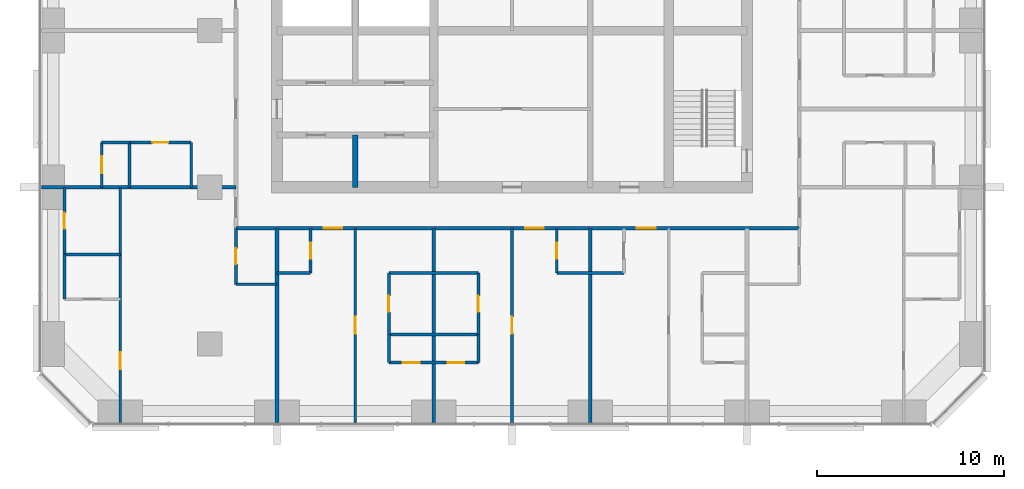
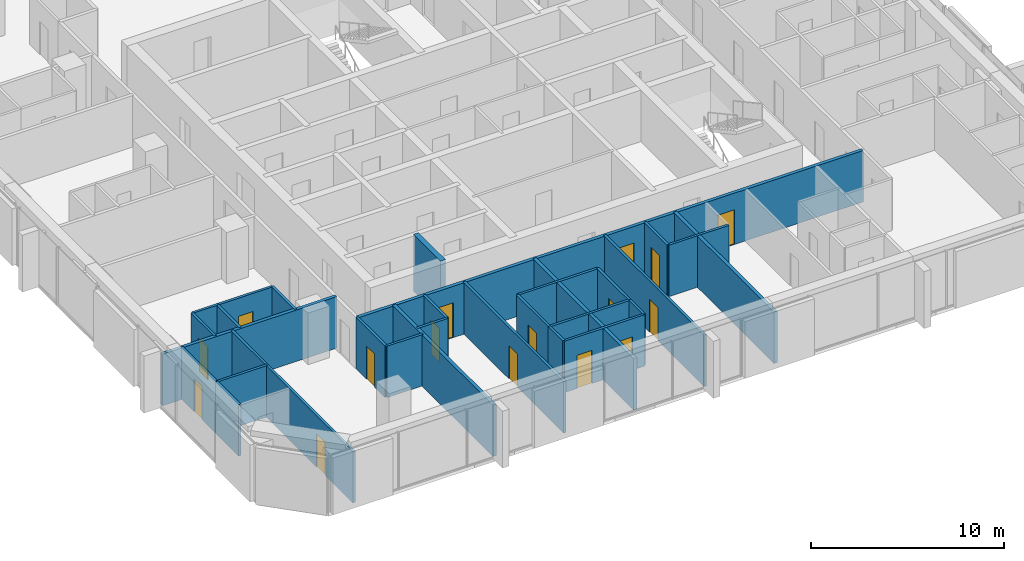
# One storey, part 8 of 14: 30 walls, 16 doors, 16 openings.
"""IFC4 building model written with IfcOpenShell, lengths in metres."""

import ifcopenshell
import ifcopenshell.guid

model = None  # the IFC model being written
_history = None  # IfcOwnerHistory: only IFC2X3 demands one
_inside = {}  # id of a spatial element -> (the spatial element, [elements in it])
_under = {}  # id of a project, library or spatial element -> (it, [spatial elements below it])
_declared = {}  # id of a project -> (the project, [libraries it declares])
_typed = {}  # id of a type object -> (the type object, [elements of that type])
_made_of = {}  # id of a material, layer set ... -> (it, [elements and type objects made of it])


def new_model(schema):
    """Start an empty IFC model of exactly this schema.

    Asked for "IFC4X3", IfcOpenShell would pick the latest addendum, in which some entities
    have other attributes; the version numbers below select the first issue.
    IFC2X3 requires an IfcOwnerHistory on every rooted entity: one is made here for all.
    """
    global model, _history
    if schema == "IFC4X3":
        model = ifcopenshell.file(schema_version=(4, 3, 0, 0))
    else:
        model = ifcopenshell.file(schema=schema)
    _inside.clear()
    _under.clear()
    _declared.clear()
    _typed.clear()
    _made_of.clear()
    _history = None
    if model.schema == "IFC2X3":
        org = make("IfcOrganization", Name="unknown")
        user = make(
            "IfcPersonAndOrganization",
            ThePerson=make("IfcPerson", FamilyName="unknown"),
            TheOrganization=org,
        )
        app = make(
            "IfcApplication",
            ApplicationDeveloper=org,
            Version="unknown",
            ApplicationFullName="unknown",
            ApplicationIdentifier="unknown",
        )
        _history = make(
            "IfcOwnerHistory",
            OwningUser=user,
            OwningApplication=app,
            ChangeAction="ADDED",
            CreationDate=0,
        )
    return model


def make(cls, **values):
    """One entity of the class cls with the attributes given. An attribute that is None is left unset."""
    return model.create_entity(
        cls, **{name: value for name, value in values.items() if value is not None}
    )


def rooted(cls, **values):
    """An entity with a GlobalId (a new one), such as an element, a storey or a relation."""
    return make(cls, GlobalId=ifcopenshell.guid.new(), OwnerHistory=_history, **values)


def si_unit(unit_type, name, prefix=None):
    """IfcSIUnit, for example si_unit("LENGTHUNIT", "METRE", prefix="MILLI")."""
    return make("IfcSIUnit", UnitType=unit_type, Prefix=prefix, Name=name)


def assignment(units):
    """IfcUnitAssignment: the units of a project."""
    return None if units is None else make("IfcUnitAssignment", Units=units)


def point(xyz):
    """IfcCartesianPoint."""
    return None if xyz is None else make("IfcCartesianPoint", Coordinates=xyz)


def direction(xyz):
    """IfcDirection."""
    return None if xyz is None else make("IfcDirection", DirectionRatios=xyz)


def frame(location, z_axis=None, x_axis=None):
    """IfcAxis2Placement3D, a coordinate frame: its origin and axes. An axis left out is left unset."""
    return make(
        "IfcAxis2Placement3D",
        Location=point(location),
        Axis=direction(z_axis),
        RefDirection=direction(x_axis),
    )


def frame_2d(location, x_axis=None):
    """IfcAxis2Placement2D, a coordinate frame in the plane: its origin and x axis."""
    return make(
        "IfcAxis2Placement2D", Location=point(location), RefDirection=direction(x_axis)
    )


def origin():
    """The frame at (0, 0, 0) with its axes left unset."""
    return frame((0.0, 0.0, 0.0))


def place(relative_to, where):
    """IfcLocalPlacement: puts the frame where relative to a parent placement (None: the world)."""
    return make(
        "IfcLocalPlacement", PlacementRelTo=relative_to, RelativePlacement=where
    )


def context(
    kind, dimensions, precision=None, world=None, true_north=None, identifier=None
):
    """IfcGeometricRepresentationContext, for example the 3D "Model" context."""
    return make(
        "IfcGeometricRepresentationContext",
        ContextIdentifier=identifier,
        ContextType=kind,
        CoordinateSpaceDimension=dimensions,
        Precision=precision,
        WorldCoordinateSystem=world,
        TrueNorth=true_north,
    )


def subcontext(parent, identifier, kind, view, scale=None):
    """IfcGeometricRepresentationSubContext, for example "Body" below "Model"."""
    return make(
        "IfcGeometricRepresentationSubContext",
        ContextIdentifier=identifier,
        ContextType=kind,
        ParentContext=parent,
        TargetScale=scale,
        TargetView=view,
    )


def project(units=None, contexts=None):
    """IfcProject with its units and contexts."""
    return rooted(
        "IfcProject",
        Name="project",
        RepresentationContexts=contexts,
        UnitsInContext=assignment(units),
    )


def spatial(cls, under=None, at=None, **own):
    """A site, building, storey or space (cls), placed at a placement, below another one or the project."""
    s = rooted(cls, ObjectPlacement=at, **own)
    if under is not None:
        _under.setdefault(under.id(), (under, []))[1].append(s)
    return s


def profile(cls, at=None, kind="AREA", **sizes):
    """A parametric profile (cls). Its sizes go by their IFC names, for example OverallWidth=200.0."""
    return make(cls, ProfileType=kind, Position=at, **sizes)


def rectangle(**sizes):
    """IfcRectangleProfileDef."""
    return profile("IfcRectangleProfileDef", **sizes)


def extrude(swept, where, along, depth):
    """IfcExtrudedAreaSolid: the profile swept, set in the frame where, extruded along a direction by depth."""
    return make(
        "IfcExtrudedAreaSolid",
        SweptArea=swept,
        Position=where,
        ExtrudedDirection=direction(along),
        Depth=depth,
    )


def shape(context_of_items, identifier, shape_type, items):
    """IfcShapeRepresentation: the items that make up one representation, for example the "Body"."""
    return make(
        "IfcShapeRepresentation",
        ContextOfItems=context_of_items,
        RepresentationIdentifier=identifier,
        RepresentationType=shape_type,
        Items=items,
    )


def material(Name=None, Category=None):
    """IfcMaterial."""
    return make("IfcMaterial", Name=Name, Category=Category)


def layer(
    of_material, thickness, ventilated=None, Name=None, Category=None, Priority=None
):
    """IfcMaterialLayer: one layer of a wall or slab, of a material (None: an air gap)."""
    return make(
        "IfcMaterialLayer",
        Material=of_material,
        LayerThickness=thickness,
        IsVentilated=ventilated,
        Name=Name,
        Category=Category,
        Priority=Priority,
    )


def layer_set(layers, Name=None):
    """IfcMaterialLayerSet."""
    return make("IfcMaterialLayerSet", MaterialLayers=layers, LayerSetName=Name)


def made_of(thing, what):
    """Note that an element or type object is made of a material, layer set ...; save() writes the relation."""
    if what is not None:
        _made_of.setdefault(what.id(), (what, []))[1].append(thing)
    return thing


def type_object(cls, material=None, **own):
    """A type object (cls), such as IfcWallType, which elements share."""
    return made_of(rooted(cls, **own), material)


def element(
    cls,
    number,
    at=None,
    inside=None,
    cuts=None,
    type_object=None,
    material=None,
    context=None,
    identifier="Body",
    shape_type=None,
    held_by="IfcProductDefinitionShape",
    body=None,
    shapes=None,
    **own,
):
    """One element of the class cls, such as IfcWall. Its Tag is "e" and its number.

    at: its placement. inside: the storey or other place that contains it. cuts: it is an
    opening in that element (IfcRelVoidsElement). A single representation is given by context,
    identifier, shape_type and body (its items); several are given by shapes. held_by: the class
    of the entity that holds the representations. save() writes the other relations.
    """
    e = rooted(cls, Tag="e%d" % number, ObjectPlacement=at, **own)
    if body is not None:
        shapes = [shape(context, identifier, shape_type, body)]
    if shapes is not None:
        e.Representation = make(held_by, Representations=shapes)
    if inside is not None:
        _inside.setdefault(inside.id(), (inside, []))[1].append(e)
    if cuts is not None:
        rooted(
            "IfcRelVoidsElement", RelatingBuildingElement=cuts, RelatedOpeningElement=e
        )
    if type_object is not None:
        _typed.setdefault(type_object.id(), (type_object, []))[1].append(e)
    return made_of(e, material)


def fill(opening, filler):
    """IfcRelFillsElement: the door or window that sits in an opening."""
    return rooted(
        "IfcRelFillsElement",
        RelatingOpeningElement=opening,
        RelatedBuildingElement=filler,
    )


def aggregate(whole, parts):
    """IfcRelAggregates: a whole, such as a stair, and the parts it consists of."""
    return rooted("IfcRelAggregates", RelatingObject=whole, RelatedObjects=parts)


def save(model, path):
    """Write the relations noted so far, then the file.

    IfcRelAggregates (storeys below a building ...), IfcRelContainedInSpatialStructure (elements
    in a storey), IfcRelDefinesByType, IfcRelAssociatesMaterial and IfcRelDeclares: one each for
    every whole, place, type object, material and project.
    """
    for whole, parts in _under.values():
        aggregate(whole, parts)
    for where, things in _inside.values():
        rooted(
            "IfcRelContainedInSpatialStructure",
            RelatedElements=things,
            RelatingStructure=where,
        )
    for kind, things in _typed.values():
        rooted("IfcRelDefinesByType", RelatedObjects=things, RelatingType=kind)
    for what, things in _made_of.values():
        rooted("IfcRelAssociatesMaterial", RelatedObjects=things, RelatingMaterial=what)
    for by, libraries in _declared.values():
        rooted("IfcRelDeclares", RelatingContext=by, RelatedDefinitions=libraries)
    model.write(path)


model = new_model("IFC4")

# Units and contexts
model_context = context("Model", 3, precision=1e-05, world=origin(), true_north=direction((0.0, 1.0)))
body_context = subcontext(model_context, "Body", "Model", "MODEL_VIEW")
ifc_project = project(units=[si_unit("LENGTHUNIT", "METRE"), si_unit("AREAUNIT", "SQUARE_METRE"), si_unit("VOLUMEUNIT", "CUBIC_METRE"), si_unit("PLANEANGLEUNIT", "RADIAN"), si_unit("MASSUNIT", "GRAM", prefix="KILO")], contexts=[model_context])

# Site, building, storey
site_placement = place(None, origin())
site = spatial("IfcSite", under=ifc_project, at=site_placement, CompositionType="ELEMENT")
building_placement = place(site_placement, origin())
building = spatial("IfcBuilding", under=site, at=building_placement, Name="Dunama Terrace Hotel", CompositionType="ELEMENT")
storey_placement = place(building_placement, frame((0.0, 0.0, 184.199951171875)))
storey = spatial("IfcBuildingStorey", under=building, at=storey_placement, Name="L47", CompositionType="ELEMENT", Elevation=184.199951171875)

# Wall, opening, door
ifc_material_1 = material(Name="Gypsum board partition", Category="masonry")
ifc_layer_1 = layer(ifc_material_1, 0.14990234375)
ifc_layer_set_1 = layer_set([ifc_layer_1], Name="Bathroom partition 150")
wall_type_1 = type_object("IfcWallType", Name="Bathroom partition 150", PredefinedType="PARTITIONING", material=ifc_layer_set_1)
wall_1_placement = place(storey_placement, frame((5.39990234375, 13.199951171875, 0.0), z_axis=(0.0, 0.0, 1.0), x_axis=(0.0, 1.0, 0.0)))
wall_1 = element("IfcWall", 1, at=wall_1_placement, inside=storey, type_object=wall_type_1, Name="Bathroom partition 150 L47", PredefinedType="PARTITIONING", context=body_context, shape_type="SweptSolid", body=[
    extrude(rectangle(XDim=3.60009765625, YDim=0.14990234375, at=frame_2d((1.800048828125, 0.0))), origin(), (0.0, 0.0, 1.0), 3.25),
])
opening_1_placement = place(wall_1_placement, frame((1.375, 0.0, 0.0)))
opening_1 = element("IfcOpeningElement", 2, at=opening_1_placement, cuts=wall_1, Name="Opening L46-47-055", PredefinedType="OPENING", context=body_context, shape_type="SweptSolid", body=[
    extrude(rectangle(XDim=0.85009765625, YDim=2.10009765625, at=frame_2d((0.425048828125, 1.050048828125))), frame((0.0, 0.0849609375, 0.0), z_axis=(0.0, -1.0, 0.0), x_axis=(1.0, 0.0, 0.0)), (0.0, 0.0, 1.0), 0.169921875),
])
ifc_material_2 = material(Name="Timber door with steel frame", Category="steel")
door_type_1 = type_object("IfcDoorType", Name="Bathroom door 850", OperationType="SINGLE_SWING_LEFT", PredefinedType="DOOR", material=ifc_material_2)
door_1_placement = place(opening_1_placement, frame((0.85009765625, 0.0, 0.0), z_axis=(0.0, 0.0, 1.0), x_axis=(-1.0, 0.0, 0.0)))
door_1 = element("IfcDoor", 3, at=door_1_placement, inside=storey, type_object=door_type_1, Name="Door to en-suite bathroom L46-47-055, type D2", OperationType="SINGLE_SWING_LEFT", OverallHeight=2.10009765625, OverallWidth=0.85009765625, PredefinedType="DOOR", context=body_context, shape_type="SweptSolid", body=[
    extrude(rectangle(XDim=0.85009765625, YDim=2.10009765625, at=frame_2d((0.425048828125, 1.050048828125))), frame((0.0, 0.025146484375, 0.0), z_axis=(0.0, -1.0, 0.0), x_axis=(1.0, 0.0, 0.0)), (0.0, 0.0, 1.0), 0.050048828125),
])
fill(opening_1, door_1)

# Wall
wall_2_placement = place(storey_placement, frame((12.199951171875, 16.800048828125, 0.0), z_axis=(0.0, 0.0, 1.0), x_axis=(0.0, 1.0, 0.0)))
element("IfcWall", 4, at=wall_2_placement, inside=storey, type_object=wall_type_1, Name="Bathroom partition 150 L47", PredefinedType="PARTITIONING", context=body_context, shape_type="SweptSolid", body=[
    extrude(rectangle(XDim=2.39990234375, YDim=0.14990234375, at=frame_2d((1.199951171875, 0.0))), origin(), (0.0, 0.0, 1.0), 3.25),
])

# Wall, opening, door
wall_3_placement = place(storey_placement, frame((14.60009765625, 11.60009765625, 0.0), z_axis=(0.0, 0.0, 1.0), x_axis=(0.0, 1.0, 0.0)))
wall_3 = element("IfcWall", 5, at=wall_3_placement, inside=storey, type_object=wall_type_1, Name="Bathroom partition 150 L47", PredefinedType="PARTITIONING", context=body_context, shape_type="SweptSolid", body=[
    extrude(rectangle(XDim=3.0, YDim=0.14990234375, at=frame_2d((1.5, 0.0))), origin(), (0.0, 0.0, 1.0), 3.25),
])
opening_2_placement = place(wall_3_placement, frame((1.074951171875, 0.0, 0.0)))
opening_2 = element("IfcOpeningElement", 6, at=opening_2_placement, cuts=wall_3, Name="Opening L46-47-053", PredefinedType="OPENING", context=body_context, shape_type="SweptSolid", body=[
    extrude(rectangle(XDim=0.85009765625, YDim=2.10009765625, at=frame_2d((0.425048828125, 1.050048828125))), frame((0.0, 0.0849609375, 0.0), z_axis=(0.0, -1.0, 0.0), x_axis=(1.0, 0.0, 0.0)), (0.0, 0.0, 1.0), 0.169921875),
])
door_2_placement = place(opening_2_placement, frame((0.85009765625, 0.0, 0.0), z_axis=(0.0, 0.0, 1.0), x_axis=(-1.0, 0.0, 0.0)))
door_2 = element("IfcDoor", 7, at=door_2_placement, inside=storey, type_object=door_type_1, Name="Door to powder room L46-47-053, type D2", OperationType="SINGLE_SWING_LEFT", OverallHeight=2.10009765625, OverallWidth=0.85009765625, PredefinedType="DOOR", context=body_context, shape_type="SweptSolid", body=[
    extrude(rectangle(XDim=0.85009765625, YDim=2.10009765625, at=frame_2d((0.425048828125, 1.050048828125))), frame((0.0, 0.025146484375, 0.0), z_axis=(0.0, -1.0, 0.0), x_axis=(1.0, 0.0, 0.0)), (0.0, 0.0, 1.0), 0.050048828125),
])
fill(opening_2, door_2)

wall_4_placement = place(storey_placement, frame((18.60009765625, 12.199951171875, 0.0), z_axis=(0.0, 0.0, 1.0), x_axis=(0.0, 1.0, 0.0)))
wall_4 = element("IfcWall", 8, at=wall_4_placement, inside=storey, type_object=wall_type_1, Name="Bathroom partition 150 L47", PredefinedType="PARTITIONING", context=body_context, shape_type="SweptSolid", body=[
    extrude(rectangle(XDim=2.400146484375, YDim=0.14990234375, at=frame_2d((1.2001953125, 0.0))), origin(), (0.0, 0.0, 1.0), 3.25),
])
opening_3_placement = place(wall_4_placement, frame((0.77490234375, 0.0, 0.0)))
opening_3 = element("IfcOpeningElement", 9, at=opening_3_placement, cuts=wall_4, Name="Opening L46-47-010", PredefinedType="OPENING", context=body_context, shape_type="SweptSolid", body=[
    extrude(rectangle(XDim=0.85009765625, YDim=2.10009765625, at=frame_2d((0.425048828125, 1.050048828125))), frame((0.0, 0.0849609375, 0.0), z_axis=(0.0, -1.0, 0.0), x_axis=(1.0, 0.0, 0.0)), (0.0, 0.0, 1.0), 0.169921875),
])
door_3_placement = place(opening_3_placement, origin())
door_3 = element("IfcDoor", 10, at=door_3_placement, inside=storey, type_object=door_type_1, Name="Door to powder room L46-47-010, type D2", OperationType="SINGLE_SWING_RIGHT", OverallHeight=2.10009765625, OverallWidth=0.85009765625, PredefinedType="DOOR", context=body_context, shape_type="SweptSolid", body=[
    extrude(rectangle(XDim=0.85009765625, YDim=2.10009765625, at=frame_2d((0.425048828125, 1.050048828125))), frame((0.0, 0.02490234375, 0.0), z_axis=(0.0, -1.0, 0.0), x_axis=(1.0, 0.0, 0.0)), (0.0, 0.0, 1.0), 0.050048828125),
])
fill(opening_3, door_3)

wall_5_placement = place(storey_placement, frame((22.800048828125, 8.89990234375, 0.0), z_axis=(0.0, 0.0, 1.0), x_axis=(0.0, 1.0, 0.0)))
wall_5 = element("IfcWall", 11, at=wall_5_placement, inside=storey, type_object=wall_type_1, Name="Bathroom partition 150 L47", PredefinedType="PARTITIONING", context=body_context, shape_type="SweptSolid", body=[
    extrude(rectangle(XDim=3.300048828125, YDim=0.14990234375, at=frame_2d((1.64990234375, 0.0))), origin(), (0.0, 0.0, 1.0), 3.25),
])
opening_4_placement = place(wall_5_placement, frame((1.22509765625, 0.0, 0.0)))
opening_4 = element("IfcOpeningElement", 12, at=opening_4_placement, cuts=wall_5, Name="Opening L46-47-012", PredefinedType="OPENING", context=body_context, shape_type="SweptSolid", body=[
    extrude(rectangle(XDim=0.85009765625, YDim=2.10009765625, at=frame_2d((0.425048828125, 1.050048828125))), frame((0.0, 0.0849609375, 0.0), z_axis=(0.0, -1.0, 0.0), x_axis=(1.0, 0.0, 0.0)), (0.0, 0.0, 1.0), 0.169921875),
])
door_4_placement = place(opening_4_placement, frame((0.85009765625, 0.0, 0.0), z_axis=(0.0, 0.0, 1.0), x_axis=(-1.0, 0.0, 0.0)))
door_4 = element("IfcDoor", 13, at=door_4_placement, inside=storey, type_object=door_type_1, Name="Door to en-suite bathroom L46-47-012, type D2", OperationType="SINGLE_SWING_RIGHT", OverallHeight=2.10009765625, OverallWidth=0.85009765625, PredefinedType="DOOR", context=body_context, shape_type="SweptSolid", body=[
    extrude(rectangle(XDim=0.85009765625, YDim=2.10009765625, at=frame_2d((0.425048828125, 1.050048828125))), frame((0.0, 0.025146484375, 0.0), z_axis=(0.0, -1.0, 0.0), x_axis=(1.0, 0.0, 0.0)), (0.0, 0.0, 1.0), 0.050048828125),
])
fill(opening_4, door_4)

wall_6_placement = place(storey_placement, frame((27.60009765625, 8.89990234375, 0.0), z_axis=(0.0, 0.0, 1.0), x_axis=(0.0, 1.0, 0.0)))
wall_6 = element("IfcWall", 14, at=wall_6_placement, inside=storey, type_object=wall_type_1, Name="Bathroom partition 150 L47", PredefinedType="PARTITIONING", context=body_context, shape_type="SweptSolid", body=[
    extrude(rectangle(XDim=3.300048828125, YDim=0.14990234375, at=frame_2d((1.64990234375, 0.0))), origin(), (0.0, 0.0, 1.0), 3.25),
])
opening_5_placement = place(wall_6_placement, frame((1.22509765625, 0.0, 0.0)))
opening_5 = element("IfcOpeningElement", 15, at=opening_5_placement, cuts=wall_6, Name="Opening L46-47-017", PredefinedType="OPENING", context=body_context, shape_type="SweptSolid", body=[
    extrude(rectangle(XDim=0.85009765625, YDim=2.10009765625, at=frame_2d((0.425048828125, 1.050048828125))), frame((0.0, 0.0849609375, 0.0), z_axis=(0.0, -1.0, 0.0), x_axis=(1.0, 0.0, 0.0)), (0.0, 0.0, 1.0), 0.169921875),
])
door_5_placement = place(opening_5_placement, origin())
door_5 = element("IfcDoor", 16, at=door_5_placement, inside=storey, type_object=door_type_1, Name="Door to en-suite bathroom L46-47-017, type D2", OperationType="SINGLE_SWING_LEFT", OverallHeight=2.10009765625, OverallWidth=0.85009765625, PredefinedType="DOOR", context=body_context, shape_type="SweptSolid", body=[
    extrude(rectangle(XDim=0.85009765625, YDim=2.10009765625, at=frame_2d((0.425048828125, 1.050048828125))), frame((0.0, 0.02490234375, 0.0), z_axis=(0.0, -1.0, 0.0), x_axis=(1.0, 0.0, 0.0)), (0.0, 0.0, 1.0), 0.050048828125),
])
fill(opening_5, door_5)

wall_7_placement = place(storey_placement, frame((31.800048828125, 12.199951171875, 0.0), z_axis=(0.0, 0.0, 1.0), x_axis=(0.0, 1.0, 0.0)))
wall_7 = element("IfcWall", 17, at=wall_7_placement, inside=storey, type_object=wall_type_1, Name="Bathroom partition 150 L47", PredefinedType="PARTITIONING", context=body_context, shape_type="SweptSolid", body=[
    extrude(rectangle(XDim=2.400146484375, YDim=0.14990234375, at=frame_2d((1.2001953125, 0.0))), origin(), (0.0, 0.0, 1.0), 3.25),
])
opening_6_placement = place(wall_7_placement, frame((0.77490234375, 0.0, 0.0)))
opening_6 = element("IfcOpeningElement", 18, at=opening_6_placement, cuts=wall_7, Name="Opening L46-47-015", PredefinedType="OPENING", context=body_context, shape_type="SweptSolid", body=[
    extrude(rectangle(XDim=0.85009765625, YDim=2.10009765625, at=frame_2d((0.425048828125, 1.050048828125))), frame((0.0, 0.0849609375, 0.0), z_axis=(0.0, -1.0, 0.0), x_axis=(1.0, 0.0, 0.0)), (0.0, 0.0, 1.0), 0.169921875),
])
door_6_placement = place(opening_6_placement, frame((0.85009765625, 0.0, 0.0), z_axis=(0.0, 0.0, 1.0), x_axis=(-1.0, 0.0, 0.0)))
door_6 = element("IfcDoor", 19, at=door_6_placement, inside=storey, type_object=door_type_1, Name="Door to powder room L46-47-015, type D2", OperationType="SINGLE_SWING_LEFT", OverallHeight=2.10009765625, OverallWidth=0.85009765625, PredefinedType="DOOR", context=body_context, shape_type="SweptSolid", body=[
    extrude(rectangle(XDim=0.85009765625, YDim=2.10009765625, at=frame_2d((0.425048828125, 1.050048828125))), frame((0.0, 0.025146484375, 0.0), z_axis=(0.0, -1.0, 0.0), x_axis=(1.0, 0.0, 0.0)), (0.0, 0.0, 1.0), 0.050048828125),
])
fill(opening_6, door_6)

# Walls
wall_8_placement = place(storey_placement, frame((14.60009765625, 11.60009765625, 0.0), z_axis=(0.0, 0.0, 1.0), x_axis=(1.0, 0.0, 0.0)))
element("IfcWall", 20, at=wall_8_placement, inside=storey, type_object=wall_type_1, Name="Bathroom partition 150 L47", PredefinedType="PARTITIONING", context=body_context, shape_type="SweptSolid", body=[
    extrude(rectangle(XDim=2.199951171875, YDim=0.14990234375, at=frame_2d((1.10009765625, 0.0))), origin(), (0.0, 0.0, 1.0), 3.25),
])
wall_9_placement = place(storey_placement, frame((16.800048828125, 12.199951171875, 0.0), z_axis=(0.0, 0.0, 1.0), x_axis=(1.0, 0.0, 0.0)))
element("IfcWall", 21, at=wall_9_placement, inside=storey, type_object=wall_type_1, Name="Bathroom partition 150 L47", PredefinedType="PARTITIONING", context=body_context, shape_type="SweptSolid", body=[
    extrude(rectangle(XDim=1.800048828125, YDim=0.14990234375, at=frame_2d((0.89990234375, 0.0))), origin(), (0.0, 0.0, 1.0), 3.25),
])
wall_10_placement = place(storey_placement, frame((22.800048828125, 12.199951171875, 0.0), z_axis=(0.0, 0.0, 1.0), x_axis=(1.0, 0.0, 0.0)))
element("IfcWall", 22, at=wall_10_placement, inside=storey, type_object=wall_type_1, Name="Bathroom partition 150 L47", PredefinedType="PARTITIONING", context=body_context, shape_type="SweptSolid", body=[
    extrude(rectangle(XDim=4.800048828125, YDim=0.14990234375, at=frame_2d((2.39990234375, 0.0))), origin(), (0.0, 0.0, 1.0), 3.25),
])
wall_11_placement = place(storey_placement, frame((31.800048828125, 12.199951171875, 0.0), z_axis=(0.0, 0.0, 1.0), x_axis=(1.0, 0.0, 0.0)))
element("IfcWall", 23, at=wall_11_placement, inside=storey, type_object=wall_type_1, Name="Bathroom partition 150 L47", PredefinedType="PARTITIONING", context=body_context, shape_type="SweptSolid", body=[
    extrude(rectangle(XDim=3.599853515625, YDim=0.14990234375, at=frame_2d((1.7998046875, 0.0))), origin(), (0.0, 0.0, 1.0), 3.25),
])

# Wall, opening, door
wall_12_placement = place(storey_placement, frame((8.89990234375, 19.199951171875, 0.0), z_axis=(0.0, 0.0, 1.0), x_axis=(1.0, 0.0, 0.0)))
wall_12 = element("IfcWall", 24, at=wall_12_placement, inside=storey, type_object=wall_type_1, Name="Bathroom partition 150 L47", PredefinedType="PARTITIONING", context=body_context, shape_type="SweptSolid", body=[
    extrude(rectangle(XDim=3.300048828125, YDim=0.14990234375, at=frame_2d((1.64990234375, 0.0))), origin(), (0.0, 0.0, 1.0), 3.25),
])
opening_7_placement = place(wall_12_placement, frame((1.22509765625, 0.0, 0.0)))
opening_7 = element("IfcOpeningElement", 25, at=opening_7_placement, cuts=wall_12, Name="Opening L46-47-043", PredefinedType="OPENING", context=body_context, shape_type="SweptSolid", body=[
    extrude(rectangle(XDim=0.85009765625, YDim=2.10009765625, at=frame_2d((0.425048828125, 1.050048828125))), frame((0.0, 0.0849609375, 0.0), z_axis=(0.0, -1.0, 0.0), x_axis=(1.0, 0.0, 0.0)), (0.0, 0.0, 1.0), 0.169921875),
])
door_7_placement = place(opening_7_placement, frame((0.85009765625, 0.0, 0.0), z_axis=(0.0, 0.0, 1.0), x_axis=(-1.0, 0.0, 0.0)))
door_7 = element("IfcDoor", 26, at=door_7_placement, inside=storey, type_object=door_type_1, Name="Door to en-suite bathroom L46-47-043, type D2", OperationType="SINGLE_SWING_RIGHT", OverallHeight=2.10009765625, OverallWidth=0.85009765625, PredefinedType="DOOR", context=body_context, shape_type="SweptSolid", body=[
    extrude(rectangle(XDim=0.85009765625, YDim=2.10009765625, at=frame_2d((0.425048828125, 1.050048828125))), frame((0.0, 0.025146484375, 0.0), z_axis=(0.0, -1.0, 0.0), x_axis=(1.0, 0.0, 0.0)), (0.0, 0.0, 1.0), 0.050048828125),
])
fill(opening_7, door_7)

# Wall
ifc_material_3 = material(Name="Concrete C50/60", Category="concrete")
ifc_layer_2 = layer(ifc_material_3, 0.300048828125)
ifc_layer_set_2 = layer_set([ifc_layer_2], Name="Core inner wall 300")
wall_type_2 = type_object("IfcWallType", Name="Core inner wall 300", PredefinedType="SHEAR", material=ifc_layer_set_2)
wall_13_placement = place(storey_placement, frame((21.0, 16.800048828125, -0.349853515625), z_axis=(0.0, 0.0, 1.0), x_axis=(0.0, 1.0, 0.0)))
element("IfcWall", 27, at=wall_13_placement, inside=storey, type_object=wall_type_2, Name="Core inner wall 300 L47", PredefinedType="SHEAR", context=body_context, shape_type="SweptSolid", body=[
    extrude(rectangle(XDim=2.800048828125, YDim=0.300048828125, at=frame_2d((1.39990234375, 0.0))), origin(), (0.0, 0.0, 1.0), 3.599853515625),
])

# Wall, openings, doors
ifc_material_4 = material(Name="Concrete blockwork", Category="masonry")
ifc_layer_3 = layer(ifc_material_4, 0.199951171875)
ifc_layer_set_3 = layer_set([ifc_layer_3], Name="Corridor partition 200")
wall_type_3 = type_object("IfcWallType", Name="Corridor partition 200", PredefinedType="PARTITIONING", material=ifc_layer_set_3)
wall_14_placement = place(storey_placement, frame((44.800048828125, 14.60009765625, 0.0), z_axis=(0.0, 0.0, 1.0), x_axis=(-1.0, 0.0, 0.0)))
wall_14 = element("IfcWall", 28, at=wall_14_placement, inside=storey, type_object=wall_type_3, Name="Corridor partition 200 L47", PredefinedType="PARTITIONING", context=body_context, shape_type="SweptSolid", body=[
    extrude(rectangle(XDim=30.199951171875, YDim=0.199951171875, at=frame_2d((15.10009765625, 0.0))), origin(), (0.0, 0.0, 1.0), 3.25),
])
opening_8_placement = place(wall_14_placement, frame((24.5, 0.0, 0.0)))
opening_8 = element("IfcOpeningElement", 29, at=opening_8_placement, cuts=wall_14, Name="Opening L46-47-009", PredefinedType="OPENING", context=body_context, shape_type="SweptSolid", body=[
    extrude(rectangle(XDim=1.0, YDim=2.199951171875, at=frame_2d((0.5, 1.10009765625))), frame((0.0, 0.10986328125, 0.0), z_axis=(0.0, -1.0, 0.0), x_axis=(1.0, 0.0, 0.0)), (0.0, 0.0, 1.0), 0.219970703125),
])
opening_9_placement = place(wall_14_placement, frame((13.699951171875, 0.0, 0.0)))
opening_9 = element("IfcOpeningElement", 30, at=opening_9_placement, cuts=wall_14, Name="Opening L46-47-014", PredefinedType="OPENING", context=body_context, shape_type="SweptSolid", body=[
    extrude(rectangle(XDim=1.0, YDim=2.199951171875, at=frame_2d((0.5, 1.10009765625))), frame((0.0, 0.10986328125, 0.0), z_axis=(0.0, -1.0, 0.0), x_axis=(1.0, 0.0, 0.0)), (0.0, 0.0, 1.0), 0.219970703125),
])
opening_10_placement = place(wall_14_placement, frame((7.699951171875, 0.0, 0.0)))
opening_10 = element("IfcOpeningElement", 31, at=opening_10_placement, cuts=wall_14, Name="Opening L46-47-019", PredefinedType="OPENING", context=body_context, shape_type="SweptSolid", body=[
    extrude(rectangle(XDim=1.0, YDim=2.199951171875, at=frame_2d((0.5, 1.10009765625))), frame((0.0, 0.10986328125, 0.0), z_axis=(0.0, -1.0, 0.0), x_axis=(1.0, 0.0, 0.0)), (0.0, 0.0, 1.0), 0.219970703125),
])
ifc_material_5 = material(Name="Timber door with steel frame", Category="steel")
door_type_2 = type_object("IfcDoorType", Name="Guest room door 1000", OperationType="SINGLE_SWING_LEFT", PredefinedType="DOOR", material=ifc_material_5)
door_8_placement = place(opening_8_placement, origin())
door_8 = element("IfcDoor", 32, at=door_8_placement, inside=storey, type_object=door_type_2, Name="Door to executive club suite living room L46-47-009, type D1", OperationType="SINGLE_SWING_RIGHT", OverallHeight=2.199951171875, OverallWidth=1.0, PredefinedType="DOOR", context=body_context, shape_type="SweptSolid", body=[
    extrude(rectangle(XDim=1.0, YDim=2.199951171875, at=frame_2d((0.5, 1.10009765625))), frame((0.0, 0.02490234375, 0.0), z_axis=(0.0, -1.0, 0.0), x_axis=(1.0, 0.0, 0.0)), (0.0, 0.0, 1.0), 0.050048828125),
])
fill(opening_8, door_8)
door_9_placement = place(opening_9_placement, origin())
door_9 = element("IfcDoor", 33, at=door_9_placement, inside=storey, type_object=door_type_2, Name="Door to executive club suite living room L46-47-014, type D1", OperationType="SINGLE_SWING_RIGHT", OverallHeight=2.199951171875, OverallWidth=1.0, PredefinedType="DOOR", context=body_context, shape_type="SweptSolid", body=[
    extrude(rectangle(XDim=1.0, YDim=2.199951171875, at=frame_2d((0.5, 1.10009765625))), frame((0.0, 0.02490234375, 0.0), z_axis=(0.0, -1.0, 0.0), x_axis=(1.0, 0.0, 0.0)), (0.0, 0.0, 1.0), 0.050048828125),
])
fill(opening_9, door_9)
door_10_placement = place(opening_10_placement, origin())
door_10 = element("IfcDoor", 34, at=door_10_placement, inside=storey, type_object=door_type_2, Name="Door to executive club suite living room L46-47-019, type D1", OperationType="SINGLE_SWING_RIGHT", OverallHeight=2.199951171875, OverallWidth=1.0, PredefinedType="DOOR", context=body_context, shape_type="SweptSolid", body=[
    extrude(rectangle(XDim=1.0, YDim=2.199951171875, at=frame_2d((0.5, 1.10009765625))), frame((0.0, 0.02490234375, 0.0), z_axis=(0.0, -1.0, 0.0), x_axis=(1.0, 0.0, 0.0)), (0.0, 0.0, 1.0), 0.050048828125),
])
fill(opening_10, door_10)

# Walls
ifc_material_6 = material(Name="Concrete blockwork", Category="masonry")
ifc_layer_4 = layer(ifc_material_6, 0.199951171875)
ifc_layer_set_4 = layer_set([ifc_layer_4], Name="Party wall 200")
wall_type_4 = type_object("IfcWallType", Name="Party wall 200", PredefinedType="PARTITIONING", material=ifc_layer_set_4)
for number, where, z_axis, x_axis, name in (
    (35, (16.800048828125, 4.181884765625, 0.0), (0.0, 0.0, 1.0), (0.0, 1.0, 0.0), "Party wall 200 L47"),
    (36, (25.199951171875, 4.181884765625, 0.0), (0.0, 0.0, 1.0), (0.0, 1.0, 0.0), "Party wall 200 L47"),
    (37, (33.60009765625, 4.181884765625, 0.0), (0.0, 0.0, 1.0), (0.0, 1.0, 0.0), "Party wall 200 L47"),
    (38, (4.181884765625, 16.800048828125, 0.0), (0.0, 0.0, 1.0), (1.0, 0.0, 0.0), "Party wall 200 L47"),
):
    element("IfcWall", number, at=place(storey_placement, frame(where, z_axis=z_axis, x_axis=x_axis)), inside=storey, type_object=wall_type_4, Name=name, PredefinedType="PARTITIONING", context=body_context, shape_type="SweptSolid", body=[
        extrude(rectangle(XDim=10.418212890625, YDim=0.199951171875, at=frame_2d((5.208984375, 0.0))), origin(), (0.0, 0.0, 1.0), 3.25),
    ])
ifc_material_7 = material(Name="Gypsum board partition", Category="masonry")
ifc_layer_5 = layer(ifc_material_7, 0.14990234375)
ifc_layer_set_5 = layer_set([ifc_layer_5], Name="Room partition 150")
wall_type_5 = type_object("IfcWallType", Name="Room partition 150", PredefinedType="PARTITIONING", material=ifc_layer_set_5)
wall_15_placement = place(storey_placement, frame((5.39990234375, 10.800048828125, 0.0), z_axis=(0.0, 0.0, 1.0), x_axis=(0.0, 1.0, 0.0)))
element("IfcWall", 39, at=wall_15_placement, inside=storey, type_object=wall_type_5, Name="Room partition 150 L47", PredefinedType="PARTITIONING", context=body_context, shape_type="SweptSolid", body=[
    extrude(rectangle(XDim=2.39990234375, YDim=0.14990234375, at=frame_2d((1.199951171875, 0.0))), origin(), (0.0, 0.0, 1.0), 3.25),
])

# Wall, opening, door
wall_16_placement = place(storey_placement, frame((7.39990234375, 16.800048828125, 0.0), z_axis=(0.0, 0.0, 1.0), x_axis=(0.0, 1.0, 0.0)))
wall_16 = element("IfcWall", 40, at=wall_16_placement, inside=storey, type_object=wall_type_5, Name="Room partition 150 L47", PredefinedType="PARTITIONING", context=body_context, shape_type="SweptSolid", body=[
    extrude(rectangle(XDim=2.39990234375, YDim=0.14990234375, at=frame_2d((1.199951171875, 0.0))), origin(), (0.0, 0.0, 1.0), 3.25),
])
opening_11_placement = place(wall_16_placement, frame((0.75, 0.0, 0.0)))
opening_11 = element("IfcOpeningElement", 41, at=opening_11_placement, cuts=wall_16, Name="Opening L46-47-044", PredefinedType="OPENING", context=body_context, shape_type="SweptSolid", body=[
    extrude(rectangle(XDim=0.89990234375, YDim=2.10009765625, at=frame_2d((0.449951171875, 1.050048828125))), frame((0.0, 0.0849609375, 0.0), z_axis=(0.0, -1.0, 0.0), x_axis=(1.0, 0.0, 0.0)), (0.0, 0.0, 1.0), 0.169921875),
])
ifc_material_8 = material(Name="Timber door with steel frame", Category="steel")
door_type_3 = type_object("IfcDoorType", Name="Suite internal door 900", OperationType="SINGLE_SWING_LEFT", PredefinedType="DOOR", material=ifc_material_8)
door_11_placement = place(opening_11_placement, frame((0.89990234375, 0.0, 0.0), z_axis=(0.0, 0.0, 1.0), x_axis=(-1.0, 0.0, 0.0)))
door_11 = element("IfcDoor", 42, at=door_11_placement, inside=storey, type_object=door_type_3, Name="Door to walk-in wardrobe L46-47-044, type D16", OperationType="SINGLE_SWING_RIGHT", OverallHeight=2.10009765625, OverallWidth=0.89990234375, PredefinedType="DOOR", context=body_context, shape_type="SweptSolid", body=[
    extrude(rectangle(XDim=0.89990234375, YDim=2.10009765625, at=frame_2d((0.449951171875, 1.050048828125))), frame((0.0, 0.025146484375, 0.0), z_axis=(0.0, -1.0, 0.0), x_axis=(1.0, 0.0, 0.0)), (0.0, 0.0, 1.0), 0.050048828125),
])
fill(opening_11, door_11)

wall_17_placement = place(storey_placement, frame((8.39990234375, 4.181884765625, 0.0), z_axis=(0.0, 0.0, 1.0), x_axis=(0.0, 1.0, 0.0)))
wall_17 = element("IfcWall", 43, at=wall_17_placement, inside=storey, type_object=wall_type_5, Name="Room partition 150 L47", PredefinedType="PARTITIONING", context=body_context, shape_type="SweptSolid", body=[
    extrude(rectangle(XDim=12.6181640625, YDim=0.14990234375, at=frame_2d((6.30908203125, 0.0))), origin(), (0.0, 0.0, 1.0), 3.25),
])
opening_12_placement = place(wall_17_placement, frame((2.867919921875, 0.0, 0.0)))
opening_12 = element("IfcOpeningElement", 44, at=opening_12_placement, cuts=wall_17, Name="Opening L46-47-054", PredefinedType="OPENING", context=body_context, shape_type="SweptSolid", body=[
    extrude(rectangle(XDim=0.89990234375, YDim=2.10009765625, at=frame_2d((0.449951171875, 1.050048828125))), frame((0.0, 0.0849609375, 0.0), z_axis=(0.0, -1.0, 0.0), x_axis=(1.0, 0.0, 0.0)), (0.0, 0.0, 1.0), 0.169921875),
])
door_12_placement = place(opening_12_placement, origin())
door_12 = element("IfcDoor", 45, at=door_12_placement, inside=storey, type_object=door_type_3, Name="Door to corner suite bedroom L46-47-054, type D16", OperationType="SINGLE_SWING_LEFT", OverallHeight=2.10009765625, OverallWidth=0.89990234375, PredefinedType="DOOR", context=body_context, shape_type="SweptSolid", body=[
    extrude(rectangle(XDim=0.89990234375, YDim=2.10009765625, at=frame_2d((0.449951171875, 1.050048828125))), frame((0.0, 0.02490234375, 0.0), z_axis=(0.0, -1.0, 0.0), x_axis=(1.0, 0.0, 0.0)), (0.0, 0.0, 1.0), 0.050048828125),
])
fill(opening_12, door_12)

# Wall
wall_18_placement = place(storey_placement, frame((8.89990234375, 16.800048828125, 0.0), z_axis=(0.0, 0.0, 1.0), x_axis=(0.0, 1.0, 0.0)))
element("IfcWall", 46, at=wall_18_placement, inside=storey, type_object=wall_type_5, Name="Room partition 150 L47", PredefinedType="PARTITIONING", context=body_context, shape_type="SweptSolid", body=[
    extrude(rectangle(XDim=2.39990234375, YDim=0.14990234375, at=frame_2d((1.199951171875, 0.0))), origin(), (0.0, 0.0, 1.0), 3.25),
])

# Wall, opening, door
wall_19_placement = place(storey_placement, frame((21.0, 4.181884765625, 0.0), z_axis=(0.0, 0.0, 1.0), x_axis=(0.0, 1.0, 0.0)))
wall_19 = element("IfcWall", 47, at=wall_19_placement, inside=storey, type_object=wall_type_5, Name="Room partition 150 L47", PredefinedType="PARTITIONING", context=body_context, shape_type="SweptSolid", body=[
    extrude(rectangle(XDim=10.418212890625, YDim=0.14990234375, at=frame_2d((5.208984375, 0.0))), origin(), (0.0, 0.0, 1.0), 3.25),
])
opening_13_placement = place(wall_19_placement, frame((4.76806640625, 0.0, 0.0)))
opening_13 = element("IfcOpeningElement", 48, at=opening_13_placement, cuts=wall_19, Name="Opening L46-47-011", PredefinedType="OPENING", context=body_context, shape_type="SweptSolid", body=[
    extrude(rectangle(XDim=0.89990234375, YDim=2.10009765625, at=frame_2d((0.449951171875, 1.050048828125))), frame((0.0, 0.0849609375, 0.0), z_axis=(0.0, -1.0, 0.0), x_axis=(1.0, 0.0, 0.0)), (0.0, 0.0, 1.0), 0.169921875),
])
door_13_placement = place(opening_13_placement, frame((0.89990234375, 0.0, 0.0), z_axis=(0.0, 0.0, 1.0), x_axis=(-1.0, 0.0, 0.0)))
door_13 = element("IfcDoor", 49, at=door_13_placement, inside=storey, type_object=door_type_3, Name="Door to executive club suite bedroom L46-47-011, type D16", OperationType="SINGLE_SWING_RIGHT", OverallHeight=2.10009765625, OverallWidth=0.89990234375, PredefinedType="DOOR", context=body_context, shape_type="SweptSolid", body=[
    extrude(rectangle(XDim=0.89990234375, YDim=2.10009765625, at=frame_2d((0.449951171875, 1.050048828125))), frame((0.0, 0.025146484375, 0.0), z_axis=(0.0, -1.0, 0.0), x_axis=(1.0, 0.0, 0.0)), (0.0, 0.0, 1.0), 0.050048828125),
])
fill(opening_13, door_13)

# Walls
for number, where, z_axis, x_axis, name in (
    (50, (22.800048828125, 7.39990234375, 0.0), (0.0, 0.0, 1.0), (0.0, 1.0, 0.0), "Room partition 150 L47"),
    (51, (27.60009765625, 7.39990234375, 0.0), (0.0, 0.0, 1.0), (0.0, 1.0, 0.0), "Room partition 150 L47"),
):
    element("IfcWall", number, at=place(storey_placement, frame(where, z_axis=z_axis, x_axis=x_axis)), inside=storey, type_object=wall_type_5, Name=name, PredefinedType="PARTITIONING", context=body_context, shape_type="SweptSolid", body=[
        extrude(rectangle(XDim=1.5, YDim=0.14990234375, at=frame_2d((0.75, 0.0))), origin(), (0.0, 0.0, 1.0), 3.25),
    ])

# Wall, opening, door
wall_20_placement = place(storey_placement, frame((29.39990234375, 4.181884765625, 0.0), z_axis=(0.0, 0.0, 1.0), x_axis=(0.0, 1.0, 0.0)))
wall_20 = element("IfcWall", 52, at=wall_20_placement, inside=storey, type_object=wall_type_5, Name="Room partition 150 L47", PredefinedType="PARTITIONING", context=body_context, shape_type="SweptSolid", body=[
    extrude(rectangle(XDim=10.418212890625, YDim=0.14990234375, at=frame_2d((5.208984375, 0.0))), origin(), (0.0, 0.0, 1.0), 3.25),
])
opening_14_placement = place(wall_20_placement, frame((4.76806640625, 0.0, 0.0)))
opening_14 = element("IfcOpeningElement", 53, at=opening_14_placement, cuts=wall_20, Name="Opening L46-47-016", PredefinedType="OPENING", context=body_context, shape_type="SweptSolid", body=[
    extrude(rectangle(XDim=0.89990234375, YDim=2.10009765625, at=frame_2d((0.449951171875, 1.050048828125))), frame((0.0, 0.0849609375, 0.0), z_axis=(0.0, -1.0, 0.0), x_axis=(1.0, 0.0, 0.0)), (0.0, 0.0, 1.0), 0.169921875),
])
door_14_placement = place(opening_14_placement, origin())
door_14 = element("IfcDoor", 54, at=door_14_placement, inside=storey, type_object=door_type_3, Name="Door to executive club suite bedroom L46-47-016, type D16", OperationType="SINGLE_SWING_LEFT", OverallHeight=2.10009765625, OverallWidth=0.89990234375, PredefinedType="DOOR", context=body_context, shape_type="SweptSolid", body=[
    extrude(rectangle(XDim=0.89990234375, YDim=2.10009765625, at=frame_2d((0.449951171875, 1.050048828125))), frame((0.0, 0.02490234375, 0.0), z_axis=(0.0, -1.0, 0.0), x_axis=(1.0, 0.0, 0.0)), (0.0, 0.0, 1.0), 0.050048828125),
])
fill(opening_14, door_14)

# Wall, openings, doors
wall_21_placement = place(storey_placement, frame((22.800048828125, 7.39990234375, 0.0), z_axis=(0.0, 0.0, 1.0), x_axis=(1.0, 0.0, 0.0)))
wall_21 = element("IfcWall", 55, at=wall_21_placement, inside=storey, type_object=wall_type_5, Name="Room partition 150 L47", PredefinedType="PARTITIONING", context=body_context, shape_type="SweptSolid", body=[
    extrude(rectangle(XDim=4.800048828125, YDim=0.14990234375, at=frame_2d((2.39990234375, 0.0))), origin(), (0.0, 0.0, 1.0), 3.25),
])
opening_15_placement = place(wall_21_placement, frame((0.75, 0.0, 0.0)))
opening_15 = element("IfcOpeningElement", 56, at=opening_15_placement, cuts=wall_21, Name="Opening L46-47-013", PredefinedType="OPENING", context=body_context, shape_type="SweptSolid", body=[
    extrude(rectangle(XDim=0.89990234375, YDim=2.10009765625, at=frame_2d((0.449951171875, 1.050048828125))), frame((0.0, 0.0849609375, 0.0), z_axis=(0.0, -1.0, 0.0), x_axis=(1.0, 0.0, 0.0)), (0.0, 0.0, 1.0), 0.169921875),
])
opening_16_placement = place(wall_21_placement, frame((3.14990234375, 0.0, 0.0)))
opening_16 = element("IfcOpeningElement", 57, at=opening_16_placement, cuts=wall_21, Name="Opening L46-47-018", PredefinedType="OPENING", context=body_context, shape_type="SweptSolid", body=[
    extrude(rectangle(XDim=0.89990234375, YDim=2.10009765625, at=frame_2d((0.449951171875, 1.050048828125))), frame((0.0, 0.0849609375, 0.0), z_axis=(0.0, -1.0, 0.0), x_axis=(1.0, 0.0, 0.0)), (0.0, 0.0, 1.0), 0.169921875),
])
door_15_placement = place(opening_15_placement, origin())
door_15 = element("IfcDoor", 58, at=door_15_placement, inside=storey, type_object=door_type_3, Name="Door to walk-in wardrobe L46-47-013, type D16", OperationType="SINGLE_SWING_LEFT", OverallHeight=2.10009765625, OverallWidth=0.89990234375, PredefinedType="DOOR", context=body_context, shape_type="SweptSolid", body=[
    extrude(rectangle(XDim=0.89990234375, YDim=2.10009765625, at=frame_2d((0.449951171875, 1.050048828125))), frame((0.0, 0.02490234375, 0.0), z_axis=(0.0, -1.0, 0.0), x_axis=(1.0, 0.0, 0.0)), (0.0, 0.0, 1.0), 0.050048828125),
])
fill(opening_15, door_15)
door_16_placement = place(opening_16_placement, origin())
door_16 = element("IfcDoor", 59, at=door_16_placement, inside=storey, type_object=door_type_3, Name="Door to walk-in wardrobe L46-47-018, type D16", OperationType="SINGLE_SWING_LEFT", OverallHeight=2.10009765625, OverallWidth=0.89990234375, PredefinedType="DOOR", context=body_context, shape_type="SweptSolid", body=[
    extrude(rectangle(XDim=0.89990234375, YDim=2.10009765625, at=frame_2d((0.449951171875, 1.050048828125))), frame((0.0, 0.02490234375, 0.0), z_axis=(0.0, -1.0, 0.0), x_axis=(1.0, 0.0, 0.0)), (0.0, 0.0, 1.0), 0.050048828125),
])
fill(opening_16, door_16)

# Walls
wall_22_placement = place(storey_placement, frame((22.800048828125, 8.89990234375, 0.0), z_axis=(0.0, 0.0, 1.0), x_axis=(1.0, 0.0, 0.0)))
element("IfcWall", 60, at=wall_22_placement, inside=storey, type_object=wall_type_5, Name="Room partition 150 L47", PredefinedType="PARTITIONING", context=body_context, shape_type="SweptSolid", body=[
    extrude(rectangle(XDim=4.800048828125, YDim=0.14990234375, at=frame_2d((2.39990234375, 0.0))), origin(), (0.0, 0.0, 1.0), 3.25),
])
wall_23_placement = place(storey_placement, frame((5.39990234375, 13.199951171875, 0.0), z_axis=(0.0, 0.0, 1.0), x_axis=(1.0, 0.0, 0.0)))
element("IfcWall", 61, at=wall_23_placement, inside=storey, type_object=wall_type_5, Name="Room partition 150 L47", PredefinedType="PARTITIONING", context=body_context, shape_type="SweptSolid", body=[
    extrude(rectangle(XDim=3.0, YDim=0.14990234375, at=frame_2d((1.5, 0.0))), origin(), (0.0, 0.0, 1.0), 3.25),
])
wall_24_placement = place(storey_placement, frame((7.39990234375, 19.199951171875, 0.0), z_axis=(0.0, 0.0, 1.0), x_axis=(1.0, 0.0, 0.0)))
element("IfcWall", 62, at=wall_24_placement, inside=storey, type_object=wall_type_5, Name="Room partition 150 L47", PredefinedType="PARTITIONING", context=body_context, shape_type="SweptSolid", body=[
    extrude(rectangle(XDim=1.5, YDim=0.14990234375, at=frame_2d((0.75, 0.0))), origin(), (0.0, 0.0, 1.0), 3.25),
])

save(model, "model.ifc")
